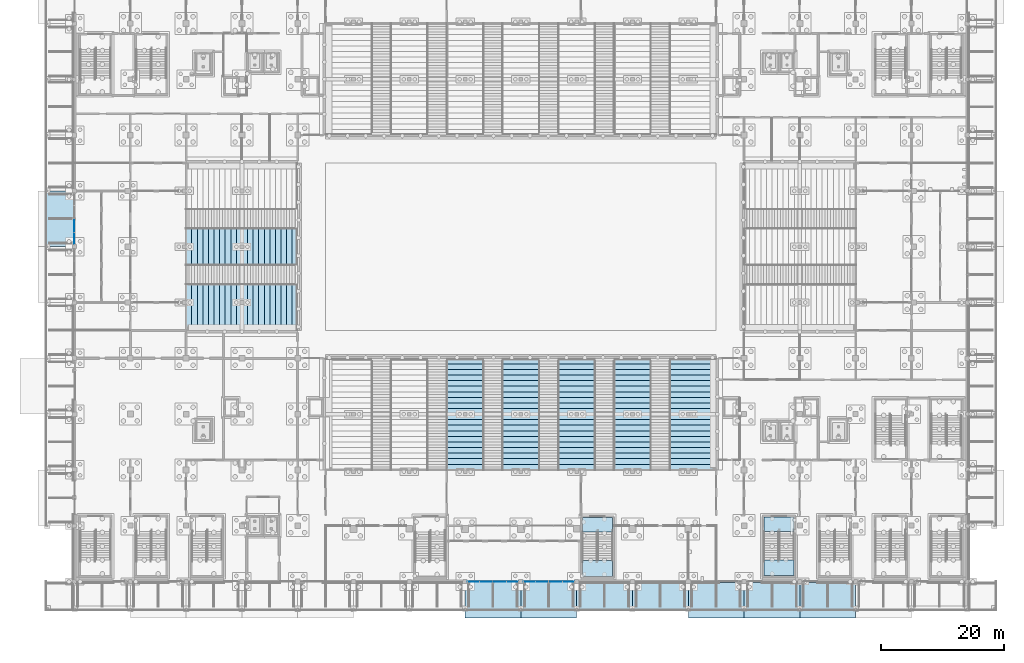
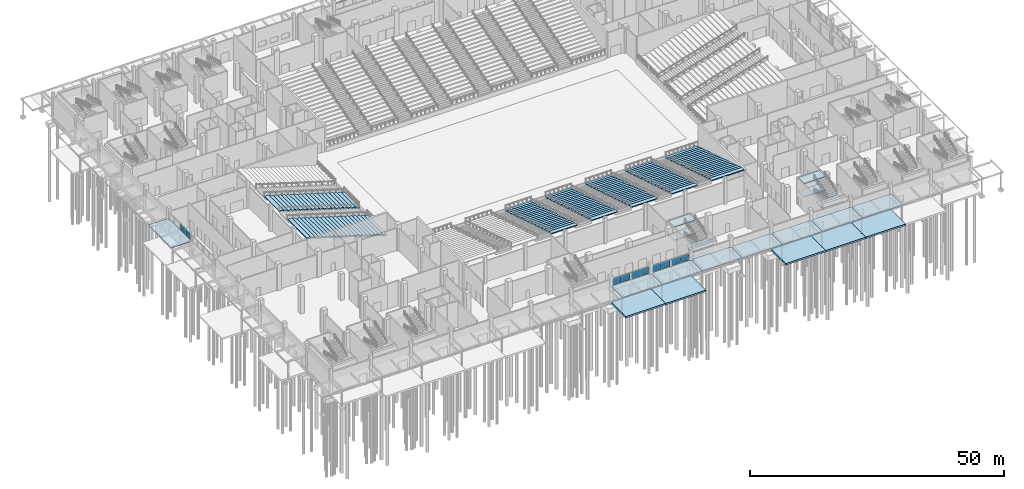
# One storey, part 61 of 129: 28 slabs, 10 plates, 7 elements without a shape of their own.
"""IFC4 building model written with IfcOpenShell, lengths in metres."""

from ifc_helpers import new_model, si_unit, direction, frame, origin, origin_2d, place, context, subcontext, project, spatial, polyline, rectangle, outline, extrude, material, layer, layer_set, type_object, element, aggregate, save


model = new_model("IFC4")

# Units and contexts
model_context = context("Model", 3, precision=1e-05, world=origin(), true_north=direction((0.0, 1.0)))
body_context = subcontext(model_context, "Body", "Model", "MODEL_VIEW")
ifc_project = project(units=[si_unit("LENGTHUNIT", "METRE"), si_unit("AREAUNIT", "SQUARE_METRE"), si_unit("VOLUMEUNIT", "CUBIC_METRE"), si_unit("PLANEANGLEUNIT", "RADIAN"), si_unit("MASSUNIT", "GRAM", prefix="KILO")], contexts=[model_context])

# Site, building, storey
site_placement = place(None, origin())
site = spatial("IfcSite", under=ifc_project, at=site_placement, CompositionType="ELEMENT")
building_placement = place(site_placement, origin())
building = spatial("IfcBuilding", under=site, at=building_placement, Name="Shirokan Park Arena", CompositionType="ELEMENT")
storey_placement = place(building_placement, origin())
storey = spatial("IfcBuildingStorey", under=building, at=storey_placement, Name="L00", CompositionType="ELEMENT", Elevation=0.0)

# Slabs
ifc_material_1 = material(Name="Zinc standing seam sheet")
ifc_layer_1 = layer(ifc_material_1, 0.0048828125, Name="Zinc standing seam sheet")
ifc_material_2 = material(Name="Mineral wool insulation")
ifc_layer_2 = layer(ifc_material_2, 0.050048828125, Name="Mineral wool insulation")
ifc_material_3 = material(Name="Cross-laminated timber deck", Category="wood")
ifc_layer_3 = layer(ifc_material_3, 0.094970703125, Name="Cross-laminated timber deck")
ifc_layer_set_1 = layer_set([ifc_layer_1, ifc_layer_2, ifc_layer_3], Name="Zinc standing seam sheet + Mineral wool insulation + Cross-laminated timber deck")
slab_type_1 = type_object("IfcSlabType", Name="Canopy deck 150", PredefinedType="ROOF", material=ifc_layer_set_1)
slab_1_placement = place(storey_placement, frame((0.0, 0.0, 3.60009765625)))
element("IfcSlab", 1, at=slab_1_placement, inside=storey, type_object=slab_type_1, Name="Canopy deck south bay 8", PredefinedType="ROOF", context=body_context, shape_type="SweptSolid", body=[
    extrude(outline(polyline([(72.449951171875, -0.14990234375), (72.449951171875, -0.35009765625), (72.800048828125, -0.35009765625), (72.800048828125, -4.64990234375), (63.699951171875, -4.64990234375), (63.699951171875, -0.35009765625), (64.050048828125, -0.35009765625), (64.050048828125, -0.14990234375), (72.449951171875, -0.14990234375)])), origin(), (0.0, 0.0, 1.0), 0.14990234375),
])
slab_2_placement = place(storey_placement, frame((0.0, 0.0, 3.60009765625)))
element("IfcSlab", 2, at=slab_2_placement, inside=storey, type_object=slab_type_1, Name="Canopy deck south bay 9", PredefinedType="ROOF", context=body_context, shape_type="SweptSolid", body=[
    extrude(outline(polyline([(81.574951171875, -0.14990234375), (81.574951171875, -0.324951171875), (81.89990234375, -0.324951171875), (81.89990234375, -4.64990234375), (72.800048828125, -4.64990234375), (72.800048828125, -0.35009765625), (73.14990234375, -0.35009765625), (73.14990234375, -0.14990234375), (81.574951171875, -0.14990234375)])), origin(), (0.0, 0.0, 1.0), 0.14990234375),
])
slab_3_placement = place(storey_placement, frame((0.0, 0.0, 3.60009765625)))
element("IfcSlab", 3, at=slab_3_placement, inside=storey, type_object=slab_type_1, Name="Canopy deck south bay 10", PredefinedType="ROOF", context=body_context, shape_type="SweptSolid", body=[
    extrude(outline(polyline([(90.64990234375, -0.14990234375), (90.64990234375, -0.35009765625), (91.0, -0.35009765625), (91.0, -4.64990234375), (81.89990234375, -4.64990234375), (81.89990234375, -0.324951171875), (82.22509765625, -0.324951171875), (82.22509765625, -0.14990234375), (90.64990234375, -0.14990234375)])), origin(), (0.0, 0.0, 1.0), 0.14990234375),
])
slab_4_placement = place(storey_placement, frame((0.0, 0.0, 3.60009765625)))
element("IfcSlab", 4, at=slab_4_placement, inside=storey, type_object=slab_type_1, Name="Canopy deck south bay 11", PredefinedType="ROOF", context=body_context, shape_type="SweptSolid", body=[
    extrude(outline(polyline([(99.75, -0.14990234375), (99.75, -0.35009765625), (100.10009765625, -0.35009765625), (100.10009765625, -4.64990234375), (91.0, -4.64990234375), (91.0, -0.35009765625), (91.35009765625, -0.35009765625), (91.35009765625, -0.14990234375), (99.75, -0.14990234375)])), origin(), (0.0, 0.0, 1.0), 0.14990234375),
])
slab_5_placement = place(storey_placement, frame((0.0, 0.0, 3.60009765625)))
element("IfcSlab", 5, at=slab_5_placement, inside=storey, type_object=slab_type_1, Name="Canopy deck south bay 12", PredefinedType="ROOF", context=body_context, shape_type="SweptSolid", body=[
    extrude(outline(polyline([(108.85009765625, -0.14990234375), (108.85009765625, -0.35009765625), (109.199951171875, -0.35009765625), (109.199951171875, -4.64990234375), (100.10009765625, -4.64990234375), (100.10009765625, -0.35009765625), (100.449951171875, -0.35009765625), (100.449951171875, -0.14990234375), (108.85009765625, -0.14990234375)])), origin(), (0.0, 0.0, 1.0), 0.14990234375),
])
slab_6_placement = place(storey_placement, frame((0.0, 0.0, 3.60009765625)))
element("IfcSlab", 6, at=slab_6_placement, inside=storey, type_object=slab_type_1, Name="Canopy deck south bay 13", PredefinedType="ROOF", context=body_context, shape_type="SweptSolid", body=[
    extrude(outline(polyline([(118.0, -0.14990234375), (118.0, -0.300048828125), (118.300048828125, -0.300048828125), (118.300048828125, -4.64990234375), (109.199951171875, -4.64990234375), (109.199951171875, -0.35009765625), (109.550048828125, -0.35009765625), (109.550048828125, -0.14990234375), (118.0, -0.14990234375)])), origin(), (0.0, 0.0, 1.0), 0.14990234375),
])
slab_7_placement = place(storey_placement, frame((0.0, 0.0, 3.60009765625)))
element("IfcSlab", 7, at=slab_7_placement, inside=storey, type_object=slab_type_1, Name="Canopy deck south bay 14", PredefinedType="ROOF", context=body_context, shape_type="SweptSolid", body=[
    extrude(outline(polyline([(127.10009765625, -0.14990234375), (127.10009765625, -0.300048828125), (127.39990234375, -0.300048828125), (127.39990234375, -4.64990234375), (118.300048828125, -4.64990234375), (118.300048828125, -0.300048828125), (118.60009765625, -0.300048828125), (118.60009765625, -0.14990234375), (127.10009765625, -0.14990234375)])), origin(), (0.0, 0.0, 1.0), 0.14990234375),
])
slab_8_placement = place(storey_placement, frame((0.0, 0.0, 3.60009765625)))
element("IfcSlab", 8, at=slab_8_placement, inside=storey, type_object=slab_type_1, Name="Canopy deck west bay 6", PredefinedType="ROOF", context=body_context, shape_type="SweptSolid", body=[
    extrude(outline(polyline([(-0.14990234375, 54.925048828125), (-0.324951171875, 54.925048828125), (-0.324951171875, 54.60009765625), (-4.64990234375, 54.60009765625), (-4.64990234375, 63.699951171875), (-0.324951171875, 63.699951171875), (-0.324951171875, 63.375), (-0.14990234375, 63.375), (-0.14990234375, 54.925048828125)])), origin(), (0.0, 0.0, 1.0), 0.14990234375),
])

# Curtain wall, plates
ifc_material_4 = material(Name="Steel and glass curtain wall", Category="steel")
ifc_layer_4 = layer(ifc_material_4, 0.199951171875)
ifc_layer_set_2 = layer_set([ifc_layer_4], Name="Steel and glass curtain wall 200 mm")
curtain_wall_type = type_object("IfcCurtainWallType", Name="Curtain wall shopfront bay 200", PredefinedType="NOTDEFINED", material=ifc_layer_set_2)
curtain_wall_1_placement = place(storey_placement, origin())
curtain_wall_1 = element("IfcCurtainWall", 9, at=curtain_wall_1_placement, inside=storey, type_object=curtain_wall_type, Name="Curtain wall south bay 8 L00 clerestory 1", PredefinedType="NOTDEFINED")
ifc_material_5 = material(Name="Toughened glass", Category="glass")
ifc_layer_5 = layer(ifc_material_5, 0.012939453125, Name="Toughened glass")
ifc_material_6 = material(Name="Interlayer film")
ifc_layer_6 = layer(ifc_material_6, 0.001953125, Name="Interlayer film")
ifc_layer_7 = layer(ifc_material_5, 0.012939453125, Name="Toughened glass")
ifc_layer_set_3 = layer_set([ifc_layer_5, ifc_layer_6, ifc_layer_7], Name="Toughened glass + Interlayer film")
plate_type = type_object("IfcPlateType", Name="Laminated glass panel 28", PredefinedType="CURTAIN_PANEL", material=ifc_layer_set_3)
plate_1_placement = place(storey_placement, frame((65.083740234375, -0.050048828125, 3.7900390625), z_axis=(0.0, 0.0, 1.0), x_axis=(1.0, 0.0, 0.0)))
plate_1 = element("IfcPlate", 10, at=plate_1_placement, type_object=plate_type, Name="CW4 panel 1.1", PredefinedType="CURTAIN_PANEL", context=body_context, shape_type="SweptSolid", body=[
    extrude(rectangle(XDim=1.867431640625, YDim=0.028076171875, at=origin_2d()), origin(), (0.0, 0.0, 1.0), 1.489990234375),
])
plate_2_placement = place(storey_placement, frame((67.05126953125, -0.050048828125, 3.7900390625), z_axis=(0.0, 0.0, 1.0), x_axis=(1.0, 0.0, 0.0)))
plate_2 = element("IfcPlate", 11, at=plate_2_placement, type_object=plate_type, Name="CW4 panel 2.1", PredefinedType="CURTAIN_PANEL", context=body_context, shape_type="SweptSolid", body=[
    extrude(rectangle(XDim=1.967529296875, YDim=0.028076171875, at=origin_2d()), origin(), (0.0, 0.0, 1.0), 1.489990234375),
])
aggregate(curtain_wall_1, [plate_1, plate_2])

curtain_wall_2_placement = place(storey_placement, origin())
curtain_wall_2 = element("IfcCurtainWall", 12, at=curtain_wall_2_placement, inside=storey, type_object=curtain_wall_type, Name="Curtain wall south bay 8 L00 clerestory 2", PredefinedType="NOTDEFINED")
plate_3_placement = place(storey_placement, frame((69.44873046875, -0.050048828125, 3.7900390625), z_axis=(0.0, 0.0, 1.0), x_axis=(1.0, 0.0, 0.0)))
plate_3 = element("IfcPlate", 13, at=plate_3_placement, type_object=plate_type, Name="CW4 panel 1.1", PredefinedType="CURTAIN_PANEL", context=body_context, shape_type="SweptSolid", body=[
    extrude(rectangle(XDim=1.967529296875, YDim=0.028076171875, at=origin_2d()), origin(), (0.0, 0.0, 1.0), 1.489990234375),
])
plate_4_placement = place(storey_placement, frame((71.416259765625, -0.050048828125, 3.7900390625), z_axis=(0.0, 0.0, 1.0), x_axis=(1.0, 0.0, 0.0)))
plate_4 = element("IfcPlate", 14, at=plate_4_placement, type_object=plate_type, Name="CW4 panel 2.1", PredefinedType="CURTAIN_PANEL", context=body_context, shape_type="SweptSolid", body=[
    extrude(rectangle(XDim=1.867431640625, YDim=0.028076171875, at=origin_2d()), origin(), (0.0, 0.0, 1.0), 1.489990234375),
])
aggregate(curtain_wall_2, [plate_3, plate_4])

curtain_wall_3_placement = place(storey_placement, origin())
curtain_wall_3 = element("IfcCurtainWall", 15, at=curtain_wall_3_placement, inside=storey, type_object=curtain_wall_type, Name="Curtain wall south bay 9 L00 clerestory 1", PredefinedType="NOTDEFINED")
plate_5_placement = place(storey_placement, frame((74.183837890625, -0.050048828125, 3.7900390625), z_axis=(0.0, 0.0, 1.0), x_axis=(1.0, 0.0, 0.0)))
plate_5 = element("IfcPlate", 16, at=plate_5_placement, type_object=plate_type, Name="CW4 panel 1.1", PredefinedType="CURTAIN_PANEL", context=body_context, shape_type="SweptSolid", body=[
    extrude(rectangle(XDim=1.867431640625, YDim=0.028076171875, at=origin_2d()), origin(), (0.0, 0.0, 1.0), 1.43994140625),
])
plate_6_placement = place(storey_placement, frame((76.1513671875, -0.050048828125, 3.7900390625), z_axis=(0.0, 0.0, 1.0), x_axis=(1.0, 0.0, 0.0)))
plate_6 = element("IfcPlate", 17, at=plate_6_placement, type_object=plate_type, Name="CW4 panel 2.1", PredefinedType="CURTAIN_PANEL", context=body_context, shape_type="SweptSolid", body=[
    extrude(rectangle(XDim=1.967529296875, YDim=0.028076171875, at=origin_2d()), origin(), (0.0, 0.0, 1.0), 1.43994140625),
])
aggregate(curtain_wall_3, [plate_5, plate_6])

curtain_wall_4_placement = place(storey_placement, origin())
curtain_wall_4 = element("IfcCurtainWall", 18, at=curtain_wall_4_placement, inside=storey, type_object=curtain_wall_type, Name="Curtain wall south bay 9 L00 clerestory 2", PredefinedType="NOTDEFINED")
plate_7_placement = place(storey_placement, frame((78.554931640625, -0.050048828125, 3.7900390625), z_axis=(0.0, 0.0, 1.0), x_axis=(1.0, 0.0, 0.0)))
plate_7 = element("IfcPlate", 19, at=plate_7_placement, type_object=plate_type, Name="CW4 panel 1.1", PredefinedType="CURTAIN_PANEL", context=body_context, shape_type="SweptSolid", body=[
    extrude(rectangle(XDim=1.97998046875, YDim=0.028076171875, at=origin_2d()), origin(), (0.0, 0.0, 1.0), 1.43994140625),
])
plate_8_placement = place(storey_placement, frame((80.534912109375, -0.050048828125, 3.7900390625), z_axis=(0.0, 0.0, 1.0), x_axis=(1.0, 0.0, 0.0)))
plate_8 = element("IfcPlate", 20, at=plate_8_placement, type_object=plate_type, Name="CW4 panel 2.1", PredefinedType="CURTAIN_PANEL", context=body_context, shape_type="SweptSolid", body=[
    extrude(rectangle(XDim=1.8798828125, YDim=0.028076171875, at=origin_2d()), origin(), (0.0, 0.0, 1.0), 1.43994140625),
])
aggregate(curtain_wall_4, [plate_7, plate_8])

curtain_wall_5_placement = place(storey_placement, origin())
curtain_wall_5 = element("IfcCurtainWall", 21, at=curtain_wall_5_placement, inside=storey, type_object=curtain_wall_type, Name="Curtain wall west bay 6 L00 clerestory 2", PredefinedType="NOTDEFINED")
plate_9_placement = place(storey_placement, frame((-0.050048828125, 57.945068359375, 3.7900390625), z_axis=(0.0, 0.0, 1.0), x_axis=(0.0, -1.0, 0.0)))
plate_9 = element("IfcPlate", 22, at=plate_9_placement, type_object=plate_type, Name="CW4 panel 1.1", PredefinedType="CURTAIN_PANEL", context=body_context, shape_type="SweptSolid", body=[
    extrude(rectangle(XDim=1.97998046875, YDim=0.028076171875, at=origin_2d()), origin(), (0.0, 0.0, 1.0), 1.43994140625),
])
plate_10_placement = place(storey_placement, frame((-0.050048828125, 55.965087890625, 3.7900390625), z_axis=(0.0, 0.0, 1.0), x_axis=(0.0, -1.0, 0.0)))
plate_10 = element("IfcPlate", 23, at=plate_10_placement, type_object=plate_type, Name="CW4 panel 2.1", PredefinedType="CURTAIN_PANEL", context=body_context, shape_type="SweptSolid", body=[
    extrude(rectangle(XDim=1.8798828125, YDim=0.028076171875, at=origin_2d()), origin(), (0.0, 0.0, 1.0), 1.43994140625),
])
aggregate(curtain_wall_5, [plate_9, plate_10])

# Slabs
ifc_material_7 = material(Name="Concrete paving C30", Category="concrete")
ifc_layer_8 = layer(ifc_material_7, 0.080078125, Name="Concrete paving C30")
ifc_material_8 = material(Name="Compacted aggregate sub-base")
ifc_layer_9 = layer(ifc_material_8, 0.320068359375, Name="Compacted aggregate sub-base")
ifc_layer_set_4 = layer_set([ifc_layer_8, ifc_layer_9], Name="Concrete paving C30 + Compacted aggregate sub-base")
slab_type_2 = type_object("IfcSlabType", Name="Paving slab 400", PredefinedType="FLOOR", material=ifc_layer_set_4)
slab_9_placement = place(storey_placement, frame((0.0, 0.0, -0.39990234375)))
element("IfcSlab", 24, at=slab_9_placement, inside=storey, type_object=slab_type_2, Name="Paving outside south bay 8", PredefinedType="FLOOR", context=body_context, shape_type="SweptSolid", body=[
    extrude(outline(polyline([(72.449951171875, -0.35009765625), (72.800048828125, -0.35009765625), (72.800048828125, -4.324951171875), (72.699951171875, -4.324951171875), (72.699951171875, -4.52490234375), (72.800048828125, -4.52490234375), (72.800048828125, -6.0), (63.699951171875, -6.0), (63.699951171875, -4.52490234375), (63.800048828125, -4.52490234375), (63.800048828125, -4.324951171875), (63.699951171875, -4.324951171875), (63.699951171875, -0.35009765625), (64.050048828125, -0.35009765625), (64.050048828125, -0.199951171875), (72.449951171875, -0.199951171875), (72.449951171875, -0.35009765625)])), origin(), (0.0, 0.0, 1.0), 0.39990234375),
])
slab_10_placement = place(storey_placement, frame((0.0, 0.0, -0.39990234375)))
element("IfcSlab", 25, at=slab_10_placement, inside=storey, type_object=slab_type_2, Name="Paving outside south bay 9", PredefinedType="FLOOR", context=body_context, shape_type="SweptSolid", body=[
    extrude(outline(polyline([(81.574951171875, -0.324951171875), (81.89990234375, -0.324951171875), (81.89990234375, -4.324951171875), (81.800048828125, -4.324951171875), (81.800048828125, -4.52490234375), (81.89990234375, -4.52490234375), (81.89990234375, -6.0), (72.800048828125, -6.0), (72.800048828125, -4.52490234375), (72.89990234375, -4.52490234375), (72.89990234375, -4.324951171875), (72.800048828125, -4.324951171875), (72.800048828125, -0.35009765625), (73.14990234375, -0.35009765625), (73.14990234375, -0.199951171875), (81.574951171875, -0.199951171875), (81.574951171875, -0.324951171875)])), origin(), (0.0, 0.0, 1.0), 0.39990234375),
])
slab_11_placement = place(storey_placement, frame((0.0, 0.0, -0.39990234375)))
element("IfcSlab", 26, at=slab_11_placement, inside=storey, type_object=slab_type_2, Name="Paving outside south bay 12", PredefinedType="FLOOR", context=body_context, shape_type="SweptSolid", body=[
    extrude(outline(polyline([(108.85009765625, -0.35009765625), (109.199951171875, -0.35009765625), (109.199951171875, -4.324951171875), (109.10009765625, -4.324951171875), (109.10009765625, -4.52490234375), (109.199951171875, -4.52490234375), (109.199951171875, -6.0), (100.10009765625, -6.0), (100.10009765625, -4.52490234375), (100.199951171875, -4.52490234375), (100.199951171875, -4.324951171875), (100.10009765625, -4.324951171875), (100.10009765625, -0.35009765625), (100.449951171875, -0.35009765625), (100.449951171875, -0.199951171875), (108.85009765625, -0.199951171875), (108.85009765625, -0.35009765625)])), origin(), (0.0, 0.0, 1.0), 0.39990234375),
])
slab_12_placement = place(storey_placement, frame((0.0, 0.0, -0.39990234375)))
element("IfcSlab", 27, at=slab_12_placement, inside=storey, type_object=slab_type_2, Name="Paving outside south bay 13", PredefinedType="FLOOR", context=body_context, shape_type="SweptSolid", body=[
    extrude(outline(polyline([(118.0, -0.300048828125), (118.300048828125, -0.300048828125), (118.300048828125, -4.324951171875), (118.199951171875, -4.324951171875), (118.199951171875, -4.52490234375), (118.300048828125, -4.52490234375), (118.300048828125, -6.0), (109.199951171875, -6.0), (109.199951171875, -4.52490234375), (109.300048828125, -4.52490234375), (109.300048828125, -4.324951171875), (109.199951171875, -4.324951171875), (109.199951171875, -0.35009765625), (109.550048828125, -0.35009765625), (109.550048828125, -0.199951171875), (118.0, -0.199951171875), (118.0, -0.300048828125)])), origin(), (0.0, 0.0, 1.0), 0.39990234375),
])
slab_13_placement = place(storey_placement, frame((0.0, 0.0, -0.39990234375)))
element("IfcSlab", 28, at=slab_13_placement, inside=storey, type_object=slab_type_2, Name="Paving outside south bay 14", PredefinedType="FLOOR", context=body_context, shape_type="SweptSolid", body=[
    extrude(outline(polyline([(127.10009765625, -0.300048828125), (127.39990234375, -0.300048828125), (127.39990234375, -4.324951171875), (127.300048828125, -4.324951171875), (127.300048828125, -4.52490234375), (127.39990234375, -4.52490234375), (127.39990234375, -6.0), (118.300048828125, -6.0), (118.300048828125, -4.52490234375), (118.39990234375, -4.52490234375), (118.39990234375, -4.324951171875), (118.300048828125, -4.324951171875), (118.300048828125, -0.300048828125), (118.60009765625, -0.300048828125), (118.60009765625, -0.199951171875), (127.10009765625, -0.199951171875), (127.10009765625, -0.300048828125)])), origin(), (0.0, 0.0, 1.0), 0.39990234375),
])
ifc_material_9 = material(Name="Concrete C35", Category="concrete")
ifc_layer_10 = layer(ifc_material_9, 0.199951171875)
ifc_layer_set_5 = layer_set([ifc_layer_10], Name="Concrete C35 200 mm")
slab_type_3 = type_object("IfcSlabType", Name="RC seating tier lower 200", PredefinedType="USERDEFINED", material=ifc_layer_set_5)
for number, where, z_axis, x_axis, name in (
    (29, (63.699951171875, 36.39990234375, 1.050048828125), (0.0, 0.0, 1.0), (0.0, -1.0, 0.0), "Stand lower S 3"),
    (30, (72.800048828125, 36.39990234375, 1.050048828125), (0.0, 0.0, 1.0), (0.0, -1.0, 0.0), "Stand lower S 4"),
    (31, (81.89990234375, 36.39990234375, 1.050048828125), (0.0, 0.0, 1.0), (0.0, -1.0, 0.0), "Stand lower S 5"),
    (32, (91.0, 36.39990234375, 1.050048828125), (0.0, 0.0, 1.0), (0.0, -1.0, 0.0), "Stand lower S 6"),
):
    element("IfcSlab", number, at=place(storey_placement, frame(where, z_axis=z_axis, x_axis=x_axis)), inside=storey, type_object=slab_type_3, Name=name, ObjectType="SEATING TIER", PredefinedType="USERDEFINED", context=body_context, shape_type="SweptSolid", body=[
        extrude(outline(polyline([(0.0, 0.0), (0.909912109375, 0.0), (0.909912109375, 0.280029296875), (1.820068359375, 0.280029296875), (1.820068359375, 0.56005859375), (2.72998046875, 0.56005859375), (2.72998046875, 0.840087890625), (3.639892578125, 0.840087890625), (3.639892578125, 1.1201171875), (4.550048828125, 1.1201171875), (4.550048828125, 1.39990234375), (5.4599609375, 1.39990234375), (5.4599609375, 1.679931640625), (6.3701171875, 1.679931640625), (6.3701171875, 1.9599609375), (7.280029296875, 1.9599609375), (7.280029296875, 2.239990234375), (8.18994140625, 2.239990234375), (8.18994140625, 2.52001953125), (9.10009765625, 2.52001953125), (9.10009765625, 2.800048828125), (10.010009765625, 2.800048828125), (10.010009765625, 3.080078125), (10.919921875, 3.080078125), (10.919921875, 3.360107421875), (11.830078125, 3.360107421875), (11.830078125, 3.639892578125), (12.739990234375, 3.639892578125), (12.739990234375, 3.919921875), (13.64990234375, 3.919921875), (13.64990234375, 4.199951171875), (14.56005859375, 4.199951171875), (14.56005859375, 4.47998046875), (15.469970703125, 4.47998046875), (15.469970703125, 4.760009765625), (16.3798828125, 4.760009765625), (16.3798828125, 5.0400390625), (17.2900390625, 5.0400390625), (17.2900390625, 5.320068359375), (18.199951171875, 5.320068359375), (18.199951171875, 5.11083984375), (0.0, -0.4892578125), (0.0, 0.0)])), frame((0.0, 2.949951171875, 0.0), z_axis=(0.0, -1.0, 0.0), x_axis=(1.0, 0.0, 0.0)), (0.0, 0.0, 1.0), 5.89990234375),
    ])
for number, where, z_axis, x_axis, name in (
    (33, (100.89990234375, 36.39990234375, 1.050048828125), (0.0, 0.0, 1.0), (0.0, -1.0, 0.0), "Stand lower S 7"),
    (34, (36.39990234375, 44.699951171875, 1.050048828125), (0.0, 0.0, 1.0), (-1.0, 0.0, 0.0), "Stand lower W 1"),
):
    element("IfcSlab", number, at=place(storey_placement, frame(where, z_axis=z_axis, x_axis=x_axis)), inside=storey, type_object=slab_type_3, Name=name, ObjectType="SEATING TIER", PredefinedType="USERDEFINED", context=body_context, shape_type="SweptSolid", body=[
        extrude(outline(polyline([(0.0, 0.0), (0.909912109375, 0.0), (0.909912109375, 0.280029296875), (1.820068359375, 0.280029296875), (1.820068359375, 0.56005859375), (2.72998046875, 0.56005859375), (2.72998046875, 0.840087890625), (3.639892578125, 0.840087890625), (3.639892578125, 1.1201171875), (4.550048828125, 1.1201171875), (4.550048828125, 1.39990234375), (5.4599609375, 1.39990234375), (5.4599609375, 1.679931640625), (6.3701171875, 1.679931640625), (6.3701171875, 1.9599609375), (7.280029296875, 1.9599609375), (7.280029296875, 2.239990234375), (8.18994140625, 2.239990234375), (8.18994140625, 2.52001953125), (9.10009765625, 2.52001953125), (9.10009765625, 2.800048828125), (10.010009765625, 2.800048828125), (10.010009765625, 3.080078125), (10.919921875, 3.080078125), (10.919921875, 3.360107421875), (11.830078125, 3.360107421875), (11.830078125, 3.639892578125), (12.739990234375, 3.639892578125), (12.739990234375, 3.919921875), (13.64990234375, 3.919921875), (13.64990234375, 4.199951171875), (14.56005859375, 4.199951171875), (14.56005859375, 4.47998046875), (15.469970703125, 4.47998046875), (15.469970703125, 4.760009765625), (16.3798828125, 4.760009765625), (16.3798828125, 5.0400390625), (17.2900390625, 5.0400390625), (17.2900390625, 5.320068359375), (18.199951171875, 5.320068359375), (18.199951171875, 5.11083984375), (0.0, -0.4892578125), (0.0, 0.0)])), frame((0.0, 3.75, 0.0), z_axis=(0.0, -1.0, 0.0), x_axis=(1.0, 0.0, 0.0)), (0.0, 0.0, 1.0), 7.5),
    ])
slab_14_placement = place(storey_placement, frame((36.39990234375, 54.60009765625, 1.050048828125), z_axis=(0.0, 0.0, 1.0), x_axis=(-1.0, 0.0, 0.0)))
element("IfcSlab", 35, at=slab_14_placement, inside=storey, type_object=slab_type_3, Name="Stand lower W 2", ObjectType="SEATING TIER", PredefinedType="USERDEFINED", context=body_context, shape_type="SweptSolid", body=[
    extrude(outline(polyline([(0.0, 0.0), (0.909912109375, 0.0), (0.909912109375, 0.280029296875), (1.820068359375, 0.280029296875), (1.820068359375, 0.56005859375), (2.72998046875, 0.56005859375), (2.72998046875, 0.840087890625), (3.639892578125, 0.840087890625), (3.639892578125, 1.1201171875), (4.550048828125, 1.1201171875), (4.550048828125, 1.39990234375), (5.4599609375, 1.39990234375), (5.4599609375, 1.679931640625), (6.3701171875, 1.679931640625), (6.3701171875, 1.9599609375), (7.280029296875, 1.9599609375), (7.280029296875, 2.239990234375), (8.18994140625, 2.239990234375), (8.18994140625, 2.52001953125), (9.10009765625, 2.52001953125), (9.10009765625, 2.800048828125), (10.010009765625, 2.800048828125), (10.010009765625, 3.080078125), (10.919921875, 3.080078125), (10.919921875, 3.360107421875), (11.830078125, 3.360107421875), (11.830078125, 3.639892578125), (12.739990234375, 3.639892578125), (12.739990234375, 3.919921875), (13.64990234375, 3.919921875), (13.64990234375, 4.199951171875), (14.56005859375, 4.199951171875), (14.56005859375, 4.47998046875), (15.469970703125, 4.47998046875), (15.469970703125, 4.760009765625), (16.3798828125, 4.760009765625), (16.3798828125, 5.0400390625), (17.2900390625, 5.0400390625), (17.2900390625, 5.320068359375), (18.199951171875, 5.320068359375), (18.199951171875, 5.11083984375), (0.0, -0.4892578125), (0.0, 0.0)])), frame((0.0, 2.949951171875, 0.0), z_axis=(0.0, -1.0, 0.0), x_axis=(1.0, 0.0, 0.0)), (0.0, 0.0, 1.0), 5.89990234375),
])

# Stair, slabs
ifc_material_10 = material(Name="Concrete C30 precast", Category="concrete")
stair_type = type_object("IfcStairType", Name="Stair 52 risers 122 x 385 2400 wide", PredefinedType="DOUBLE_RETURN_STAIR", material=ifc_material_10)
stair_1_placement = place(storey_placement, origin())
stair_1 = element("IfcStair", 36, at=stair_1_placement, inside=storey, type_object=stair_type, Name="Exit Stair 2.D L00 to L01", PredefinedType="DOUBLE_RETURN_STAIR")
ifc_layer_11 = layer(ifc_material_10, 0.199951171875)
ifc_layer_set_6 = layer_set([ifc_layer_11], Name="Concrete C30 precast 200 mm")
slab_type_4 = type_object("IfcSlabType", Name="Stair landing 200", PredefinedType="LANDING", material=ifc_layer_set_6)
slab_15_placement = place(storey_placement, frame((0.0, 0.0, 1.392578125)))
slab_15 = element("IfcSlab", 37, at=slab_15_placement, type_object=slab_type_4, Name="ST07.1 landing 1", PredefinedType="LANDING", context=body_context, shape_type="SweptSolid", body=[
    extrude(outline(polyline([(112.449951171875, 0.949951171875), (117.35009765625, 0.949951171875), (117.35009765625, 3.530029296875), (112.449951171875, 3.530029296875), (112.449951171875, 0.949951171875)])), origin(), (0.0, 0.0, 1.0), 0.199951171875),
])
slab_16_placement = place(storey_placement, frame((0.0, 0.0, 2.985107421875)))
slab_16 = element("IfcSlab", 38, at=slab_16_placement, type_object=slab_type_4, Name="ST07.1 landing 2", PredefinedType="LANDING", context=body_context, shape_type="SweptSolid", body=[
    extrude(outline(polyline([(112.449951171875, 8.14990234375), (117.35009765625, 8.14990234375), (117.35009765625, 10.550048828125), (112.449951171875, 10.550048828125), (112.449951171875, 8.14990234375)])), origin(), (0.0, 0.0, 1.0), 0.199951171875),
])
slab_17_placement = place(storey_placement, frame((0.0, 0.0, 4.577392578125)))
slab_17 = element("IfcSlab", 39, at=slab_17_placement, type_object=slab_type_4, Name="ST07.1 landing 3", PredefinedType="LANDING", context=body_context, shape_type="SweptSolid", body=[
    extrude(outline(polyline([(112.449951171875, 0.949951171875), (117.35009765625, 0.949951171875), (117.35009765625, 3.530029296875), (112.449951171875, 3.530029296875), (112.449951171875, 0.949951171875)])), origin(), (0.0, 0.0, 1.0), 0.2001953125),
])
slab_18_placement = place(storey_placement, frame((0.0, 0.0, 6.169921875)))
slab_18 = element("IfcSlab", 40, at=slab_18_placement, type_object=slab_type_4, Name="ST07.1 landing 4", PredefinedType="LANDING", context=body_context, shape_type="SweptSolid", body=[
    extrude(outline(polyline([(112.449951171875, 8.14990234375), (117.35009765625, 8.14990234375), (117.35009765625, 10.550048828125), (112.449951171875, 10.550048828125), (112.449951171875, 8.14990234375)])), origin(), (0.0, 0.0, 1.0), 0.2001953125),
])
aggregate(stair_1, [slab_15, slab_16, slab_17, slab_18])

stair_2_placement = place(storey_placement, origin())
stair_2 = element("IfcStair", 41, at=stair_2_placement, inside=storey, type_object=stair_type, Name="Entrance Stair E1.2 L00 to L01", PredefinedType="DOUBLE_RETURN_STAIR")
slab_19_placement = place(storey_placement, frame((0.0, 0.0, 1.392578125)))
slab_19 = element("IfcSlab", 42, at=slab_19_placement, type_object=slab_type_4, Name="ST25.1 landing 1", PredefinedType="LANDING", context=body_context, shape_type="SweptSolid", body=[
    extrude(outline(polyline([(82.85009765625, 0.85009765625), (87.75, 0.85009765625), (87.75, 3.429931640625), (82.85009765625, 3.429931640625), (82.85009765625, 0.85009765625)])), origin(), (0.0, 0.0, 1.0), 0.199951171875),
])
slab_20_placement = place(storey_placement, frame((0.0, 0.0, 2.985107421875)))
slab_20 = element("IfcSlab", 43, at=slab_20_placement, type_object=slab_type_4, Name="ST25.1 landing 2", PredefinedType="LANDING", context=body_context, shape_type="SweptSolid", body=[
    extrude(outline(polyline([(82.85009765625, 8.050048828125), (87.75, 8.050048828125), (87.75, 10.449951171875), (82.85009765625, 10.449951171875), (82.85009765625, 8.050048828125)])), origin(), (0.0, 0.0, 1.0), 0.199951171875),
])
slab_21_placement = place(storey_placement, frame((0.0, 0.0, 4.577392578125)))
slab_21 = element("IfcSlab", 44, at=slab_21_placement, type_object=slab_type_4, Name="ST25.1 landing 3", PredefinedType="LANDING", context=body_context, shape_type="SweptSolid", body=[
    extrude(outline(polyline([(82.85009765625, 0.85009765625), (87.75, 0.85009765625), (87.75, 3.429931640625), (82.85009765625, 3.429931640625), (82.85009765625, 0.85009765625)])), origin(), (0.0, 0.0, 1.0), 0.2001953125),
])
slab_22_placement = place(storey_placement, frame((0.0, 0.0, 6.169921875)))
slab_22 = element("IfcSlab", 45, at=slab_22_placement, type_object=slab_type_4, Name="ST25.1 landing 4", PredefinedType="LANDING", context=body_context, shape_type="SweptSolid", body=[
    extrude(outline(polyline([(82.85009765625, 8.050048828125), (87.75, 8.050048828125), (87.75, 10.449951171875), (82.85009765625, 10.449951171875), (82.85009765625, 8.050048828125)])), origin(), (0.0, 0.0, 1.0), 0.2001953125),
])
aggregate(stair_2, [slab_19, slab_20, slab_21, slab_22])

save(model, "model.ifc")
